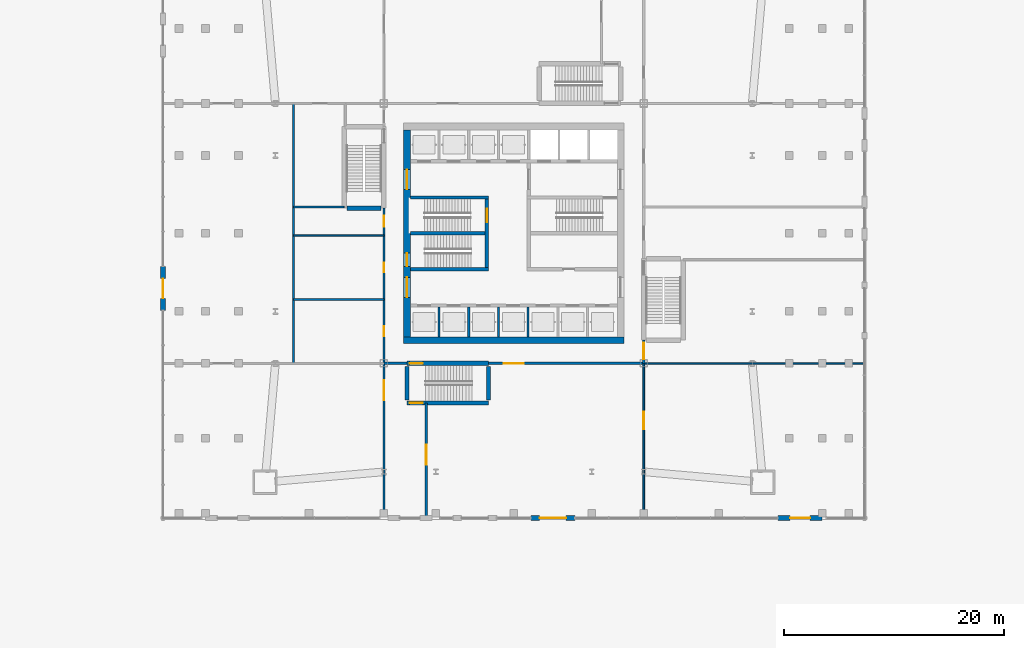
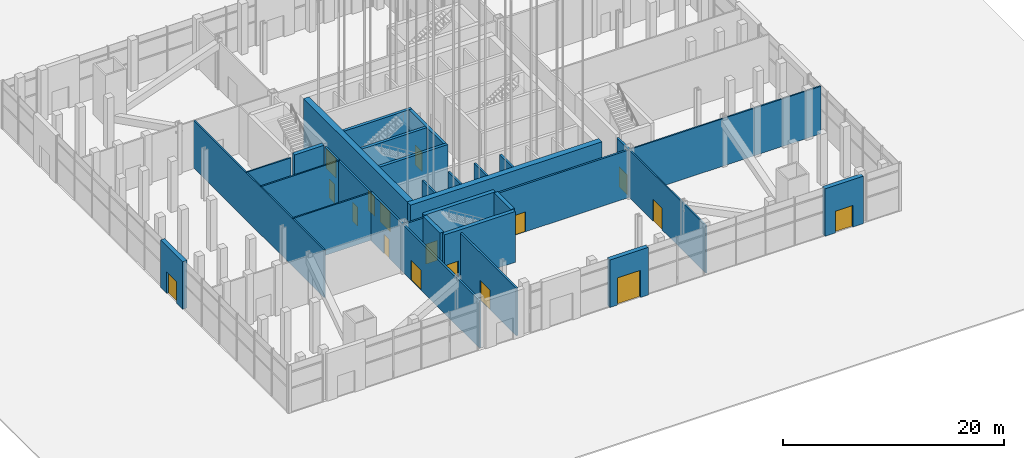
# One storey, part 12 of 27: 29 walls, 17 doors, 17 openings.
"""IFC4 building model written with IfcOpenShell, lengths in metres."""

from ifc_helpers import new_model, si_unit, direction, frame, frame_2d, origin, place, context, subcontext, project, spatial, rectangle, extrude, material, layer, layer_set, type_object, element, fill, save


model = new_model("IFC4")

# Units and contexts
model_context = context("Model", 3, precision=1e-05, world=origin(), true_north=direction((0.0, 1.0)))
body_context = subcontext(model_context, "Body", "Model", "MODEL_VIEW")
ifc_project = project(units=[si_unit("LENGTHUNIT", "METRE"), si_unit("AREAUNIT", "SQUARE_METRE"), si_unit("VOLUMEUNIT", "CUBIC_METRE"), si_unit("PLANEANGLEUNIT", "RADIAN"), si_unit("MASSUNIT", "GRAM", prefix="KILO")], contexts=[model_context])

# Site, building, storey
site_placement = place(None, origin())
site = spatial("IfcSite", under=ifc_project, at=site_placement, CompositionType="ELEMENT")
building_placement = place(site_placement, origin())
building = spatial("IfcBuilding", under=site, at=building_placement, Name="Turquesa Mirador Hotel Tower", CompositionType="ELEMENT")
storey_placement = place(building_placement, origin())
storey = spatial("IfcBuildingStorey", under=building, at=storey_placement, Name="L00", CompositionType="ELEMENT", Elevation=0.0)

# Walls
ifc_material_1 = material(Name="Concrete C50/60", Category="concrete")
ifc_layer_1 = layer(ifc_material_1, 0.300048828125)
ifc_layer_set_1 = layer_set([ifc_layer_1], Name="CORE INNER WALL 300")
wall_type_1 = type_object("IfcWallType", Name="CORE INNER WALL 300", PredefinedType="SHEAR", material=ifc_layer_set_1)
for number, where, z_axis, x_axis, name in (
    (1, (45.60009765625, 48.25, 0.0), (0.0, 0.0, 1.0), (1.0, 0.0, 0.0), "Core wall MN-W"),
    (2, (45.60009765625, 41.75, 0.0), (0.0, 0.0, 1.0), (1.0, 0.0, 0.0), "Core wall MS-W"),
):
    element("IfcWall", number, at=place(storey_placement, frame(where, z_axis=z_axis, x_axis=x_axis)), inside=storey, type_object=wall_type_1, Name=name, PredefinedType="SHEAR", context=body_context, shape_type="SweptSolid", body=[
        extrude(rectangle(XDim=7.099853515625, YDim=0.300048828125, at=frame_2d((3.5498046875, 0.0))), origin(), (0.0, 0.0, 1.0), 5.60009765625),
    ])

# Wall, opening, door
wall_1_placement = place(storey_placement, frame((52.550048828125, 41.89990234375, 0.0), z_axis=(0.0, 0.0, 1.0), x_axis=(0.0, 1.0, 0.0)))
wall_1 = element("IfcWall", 3, at=wall_1_placement, inside=storey, type_object=wall_type_1, Name="Core wall PW", PredefinedType="SHEAR", context=body_context, shape_type="SweptSolid", body=[
    extrude(rectangle(XDim=6.2001953125, YDim=0.300048828125, at=frame_2d((3.10009765625, 0.0))), origin(), (0.0, 0.0, 1.0), 5.60009765625),
])
opening_1_placement = place(wall_1_placement, frame((4.125, 0.0, 0.0)))
opening_1 = element("IfcOpeningElement", 4, at=opening_1_placement, cuts=wall_1, Name="Opening D03", PredefinedType="OPENING", context=body_context, shape_type="SweptSolid", body=[
    extrude(rectangle(XDim=1.199951171875, YDim=2.199951171875, at=frame_2d((0.60009765625, 1.10009765625))), frame((0.0, 0.159912109375, 0.0), z_axis=(0.0, -1.0, 0.0), x_axis=(1.0, 0.0, 0.0)), (0.0, 0.0, 1.0), 0.320068359375),
])
ifc_material_2 = material(Name="Steel fire door", Category="steel")
door_type_1 = type_object("IfcDoorType", Name="DOOR 1200X2200 STAIR", OperationType="SINGLE_SWING_LEFT", PredefinedType="DOOR", material=ifc_material_2)
door_1_placement = place(opening_1_placement, origin())
door_1 = element("IfcDoor", 5, at=door_1_placement, inside=storey, type_object=door_type_1, Name="Stair ST1 door", OperationType="SINGLE_SWING_LEFT", OverallHeight=2.199951171875, OverallWidth=1.199951171875, PredefinedType="DOOR", context=body_context, shape_type="SweptSolid", body=[
    extrude(rectangle(XDim=1.199951171875, YDim=2.199951171875, at=frame_2d((0.60009765625, 1.10009765625))), frame((0.0, 0.02490234375, 0.0), z_axis=(0.0, -1.0, 0.0), x_axis=(1.0, 0.0, 0.0)), (0.0, 0.0, 1.0), 0.050048828125),
])
fill(opening_1, door_1)

# Walls
wall_2_placement = place(storey_placement, frame((45.60009765625, 45.0, 0.0), z_axis=(0.0, 0.0, 1.0), x_axis=(1.0, 0.0, 0.0)))
element("IfcWall", 6, at=wall_2_placement, inside=storey, type_object=wall_type_1, Name="Core wall M0-W", PredefinedType="SHEAR", context=body_context, shape_type="SweptSolid", body=[
    extrude(rectangle(XDim=6.7998046875, YDim=0.300048828125, at=frame_2d((3.39990234375, 0.0))), origin(), (0.0, 0.0, 1.0), 5.60009765625),
])
ifc_material_3 = material(Name="Concrete C50/60", Category="concrete")
ifc_layer_2 = layer(ifc_material_3, 0.60009765625)
ifc_layer_set_2 = layer_set([ifc_layer_2], Name="CORE WALL 600")
wall_type_2 = type_object("IfcWallType", Name="CORE WALL 600", PredefinedType="SHEAR", material=ifc_layer_set_2)
wall_3_placement = place(storey_placement, frame((45.0, 35.300048828125, 0.0), z_axis=(0.0, 0.0, 1.0), x_axis=(1.0, 0.0, 0.0)))
element("IfcWall", 7, at=wall_3_placement, inside=storey, type_object=wall_type_2, Name="Core wall S", PredefinedType="SHEAR", context=body_context, shape_type="SweptSolid", body=[
    extrude(rectangle(XDim=20.0, YDim=0.60009765625, at=frame_2d((10.0, 0.0))), origin(), (0.0, 0.0, 1.0), 5.60009765625),
])

# Wall, openings, doors
wall_4_placement = place(storey_placement, frame((45.300048828125, 35.60009765625, 0.0), z_axis=(0.0, 0.0, 1.0), x_axis=(0.0, 1.0, 0.0)))
wall_4 = element("IfcWall", 8, at=wall_4_placement, inside=storey, type_object=wall_type_2, Name="Core wall W", PredefinedType="SHEAR", context=body_context, shape_type="SweptSolid", body=[
    extrude(rectangle(XDim=18.7998046875, YDim=0.60009765625, at=frame_2d((9.39990234375, 0.0))), origin(), (0.0, 0.0, 1.0), 5.60009765625),
])
opening_2_placement = place(wall_4_placement, frame((13.39990234375, 0.0, 0.0)))
opening_2 = element("IfcOpeningElement", 9, at=opening_2_placement, cuts=wall_4, Name="Opening D04", PredefinedType="OPENING", context=body_context, shape_type="SweptSolid", body=[
    extrude(rectangle(XDim=1.800048828125, YDim=2.199951171875, at=frame_2d((0.89990234375, 1.10009765625))), frame((0.0, 0.31005859375, 0.0), z_axis=(0.0, -1.0, 0.0), x_axis=(1.0, 0.0, 0.0)), (0.0, 0.0, 1.0), 0.6201171875),
])
opening_3_placement = place(wall_4_placement, frame((3.60009765625, 0.0, 0.0)))
opening_3 = element("IfcOpeningElement", 10, at=opening_3_placement, cuts=wall_4, Name="Opening D04", PredefinedType="OPENING", context=body_context, shape_type="SweptSolid", body=[
    extrude(rectangle(XDim=1.800048828125, YDim=2.199951171875, at=frame_2d((0.89990234375, 1.10009765625))), frame((0.0, 0.31005859375, 0.0), z_axis=(0.0, -1.0, 0.0), x_axis=(1.0, 0.0, 0.0)), (0.0, 0.0, 1.0), 0.6201171875),
])
opening_4_placement = place(wall_4_placement, frame((6.39990234375, 0.0, 0.0)))
opening_4 = element("IfcOpeningElement", 11, at=opening_4_placement, cuts=wall_4, Name="Opening D03", PredefinedType="OPENING", context=body_context, shape_type="SweptSolid", body=[
    extrude(rectangle(XDim=1.199951171875, YDim=2.199951171875, at=frame_2d((0.60009765625, 1.10009765625))), frame((0.0, 0.31005859375, 0.0), z_axis=(0.0, -1.0, 0.0), x_axis=(1.0, 0.0, 0.0)), (0.0, 0.0, 1.0), 0.6201171875),
])
door_2_placement = place(opening_4_placement, origin())
door_2 = element("IfcDoor", 12, at=door_2_placement, inside=storey, type_object=door_type_1, Name="Stair ST2 door", OperationType="SINGLE_SWING_LEFT", OverallHeight=2.199951171875, OverallWidth=1.199951171875, PredefinedType="DOOR", context=body_context, shape_type="SweptSolid", body=[
    extrude(rectangle(XDim=1.199951171875, YDim=2.199951171875, at=frame_2d((0.60009765625, 1.10009765625))), frame((0.0, 0.02490234375, 0.0), z_axis=(0.0, -1.0, 0.0), x_axis=(1.0, 0.0, 0.0)), (0.0, 0.0, 1.0), 0.050048828125),
])
fill(opening_4, door_2)
ifc_material_4 = material(Name="Steel fire door pair", Category="steel")
door_type_2 = type_object("IfcDoorType", Name="DOOR 1800X2200 PAIR", OperationType="DOUBLE_DOOR_SINGLE_SWING", PredefinedType="DOOR", material=ifc_material_4)
door_3_placement = place(opening_2_placement, origin())
door_3 = element("IfcDoor", 13, at=door_3_placement, inside=storey, type_object=door_type_2, Name="North lift lobby door", OperationType="DOUBLE_DOOR_SINGLE_SWING", OverallHeight=2.199951171875, OverallWidth=1.800048828125, PredefinedType="DOOR", context=body_context, shape_type="SweptSolid", body=[
    extrude(rectangle(XDim=1.800048828125, YDim=2.199951171875, at=frame_2d((0.89990234375, 1.10009765625))), frame((0.0, 0.02490234375, 0.0), z_axis=(0.0, -1.0, 0.0), x_axis=(1.0, 0.0, 0.0)), (0.0, 0.0, 1.0), 0.050048828125),
])
fill(opening_2, door_3)
door_4_placement = place(opening_3_placement, origin())
door_4 = element("IfcDoor", 14, at=door_4_placement, inside=storey, type_object=door_type_2, Name="South lift lobby door", OperationType="DOUBLE_DOOR_SINGLE_SWING", OverallHeight=2.199951171875, OverallWidth=1.800048828125, PredefinedType="DOOR", context=body_context, shape_type="SweptSolid", body=[
    extrude(rectangle(XDim=1.800048828125, YDim=2.199951171875, at=frame_2d((0.89990234375, 1.10009765625))), frame((0.0, 0.02490234375, 0.0), z_axis=(0.0, -1.0, 0.0), x_axis=(1.0, 0.0, 0.0)), (0.0, 0.0, 1.0), 0.050048828125),
])
fill(opening_3, door_4)

# Wall
ifc_material_5 = material(Name="Fire-rated gypsum board on steel studs", Category="steel")
ifc_layer_3 = layer(ifc_material_5, 0.199951171875)
ifc_layer_set_3 = layer_set([ifc_layer_3], Name="CORRIDOR WALL 200")
wall_type_3 = type_object("IfcWallType", Name="CORRIDOR WALL 200", PredefinedType="PARTITIONING", material=ifc_layer_set_3)
wall_5_placement = place(storey_placement, frame((43.199951171875, 33.199951171875, 0.0), z_axis=(0.0, 0.0, 1.0), x_axis=(1.0, 0.0, 0.0)))
element("IfcWall", 15, at=wall_5_placement, inside=storey, type_object=wall_type_3, Name="Partition L00 002", PredefinedType="PARTITIONING", context=body_context, shape_type="SweptSolid", body=[
    extrude(rectangle(XDim=2.10009765625, YDim=0.199951171875, at=frame_2d((1.050048828125, 0.0))), origin(), (0.0, 0.0, 1.0), 5.25),
])

# Wall, opening, door
wall_6_placement = place(storey_placement, frame((52.699951171875, 33.199951171875, 0.0), z_axis=(0.0, 0.0, 1.0), x_axis=(1.0, 0.0, 0.0)))
wall_6 = element("IfcWall", 16, at=wall_6_placement, inside=storey, type_object=wall_type_3, Name="Partition L00 003", PredefinedType="PARTITIONING", context=body_context, shape_type="SweptSolid", body=[
    extrude(rectangle(XDim=14.10009765625, YDim=0.199951171875, at=frame_2d((7.050048828125, 0.0))), origin(), (0.0, 0.0, 1.0), 5.25),
])
opening_5_placement = place(wall_6_placement, frame((1.39990234375, 0.0, 0.0)))
opening_5 = element("IfcOpeningElement", 17, at=opening_5_placement, cuts=wall_6, Name="Opening D04", PredefinedType="OPENING", context=body_context, shape_type="SweptSolid", body=[
    extrude(rectangle(XDim=1.800048828125, YDim=2.199951171875, at=frame_2d((0.89990234375, 1.10009765625))), frame((0.0, 0.10986328125, 0.0), z_axis=(0.0, -1.0, 0.0), x_axis=(1.0, 0.0, 0.0)), (0.0, 0.0, 1.0), 0.219970703125),
])
door_5_placement = place(opening_5_placement, origin())
door_5 = element("IfcDoor", 18, at=door_5_placement, inside=storey, type_object=door_type_2, Name="Door L00-01", OperationType="DOUBLE_DOOR_SINGLE_SWING", OverallHeight=2.199951171875, OverallWidth=1.800048828125, PredefinedType="DOOR", context=body_context, shape_type="SweptSolid", body=[
    extrude(rectangle(XDim=1.800048828125, YDim=2.199951171875, at=frame_2d((0.89990234375, 1.10009765625))), frame((0.0, 0.02490234375, 0.0), z_axis=(0.0, -1.0, 0.0), x_axis=(1.0, 0.0, 0.0)), (0.0, 0.0, 1.0), 0.050048828125),
])
fill(opening_5, door_5)

# Wall, openings, doors
wall_7_placement = place(storey_placement, frame((43.199951171875, 19.300048828125, 0.0), z_axis=(0.0, 0.0, 1.0), x_axis=(0.0, 1.0, 0.0)))
wall_7 = element("IfcWall", 19, at=wall_7_placement, inside=storey, type_object=wall_type_3, Name="Partition L00 021", PredefinedType="PARTITIONING", context=body_context, shape_type="SweptSolid", body=[
    extrude(rectangle(XDim=28.0, YDim=0.199951171875, at=frame_2d((14.0, 0.0))), origin(), (0.0, 0.0, 1.0), 5.25),
])
opening_6_placement = place(wall_7_placement, frame((10.550048828125, 0.0, 0.0)))
opening_6 = element("IfcOpeningElement", 20, at=opening_6_placement, cuts=wall_7, Name="Opening D04", PredefinedType="OPENING", context=body_context, shape_type="SweptSolid", body=[
    extrude(rectangle(XDim=1.800048828125, YDim=2.199951171875, at=frame_2d((0.89990234375, 1.10009765625))), frame((0.0, 0.10986328125, 0.0), z_axis=(0.0, -1.0, 0.0), x_axis=(1.0, 0.0, 0.0)), (0.0, 0.0, 1.0), 0.219970703125),
])
opening_7_placement = place(wall_7_placement, frame((26.300048828125, 0.0, 0.0)))
opening_7 = element("IfcOpeningElement", 21, at=opening_7_placement, cuts=wall_7, Name="Opening D07", PredefinedType="OPENING", context=body_context, shape_type="SweptSolid", body=[
    extrude(rectangle(XDim=1.0, YDim=2.10009765625, at=frame_2d((0.5, 1.050048828125))), frame((0.0, 0.10986328125, 0.0), z_axis=(0.0, -1.0, 0.0), x_axis=(1.0, 0.0, 0.0)), (0.0, 0.0, 1.0), 0.219970703125),
])
opening_8_placement = place(wall_7_placement, frame((16.35009765625, 0.0, 0.0)))
opening_8 = element("IfcOpeningElement", 22, at=opening_8_placement, cuts=wall_7, Name="Opening D06", PredefinedType="OPENING", context=body_context, shape_type="SweptSolid", body=[
    extrude(rectangle(XDim=0.89990234375, YDim=2.10009765625, at=frame_2d((0.449951171875, 1.050048828125))), frame((0.0, 0.10986328125, 0.0), z_axis=(0.0, -1.0, 0.0), x_axis=(1.0, 0.0, 0.0)), (0.0, 0.0, 1.0), 0.219970703125),
])
opening_9_placement = place(wall_7_placement, frame((22.14990234375, 0.0, 0.0)))
opening_9 = element("IfcOpeningElement", 23, at=opening_9_placement, cuts=wall_7, Name="Opening D06", PredefinedType="OPENING", context=body_context, shape_type="SweptSolid", body=[
    extrude(rectangle(XDim=0.89990234375, YDim=2.10009765625, at=frame_2d((0.449951171875, 1.050048828125))), frame((0.0, 0.10986328125, 0.0), z_axis=(0.0, -1.0, 0.0), x_axis=(1.0, 0.0, 0.0)), (0.0, 0.0, 1.0), 0.219970703125),
])
ifc_material_6 = material(Name="Laminate sliding door", Category="wood")
door_type_3 = type_object("IfcDoorType", Name="DOOR 1000X2100 ACCESSIBLE WC", OperationType="SLIDING_TO_LEFT", PredefinedType="DOOR", material=ifc_material_6)
door_6_placement = place(opening_7_placement, origin())
door_6 = element("IfcDoor", 24, at=door_6_placement, inside=storey, type_object=door_type_3, Name="Door L00-06", OperationType="SLIDING_TO_LEFT", OverallHeight=2.10009765625, OverallWidth=1.0, PredefinedType="DOOR", context=body_context, shape_type="SweptSolid", body=[
    extrude(rectangle(XDim=1.0, YDim=2.10009765625, at=frame_2d((0.5, 1.050048828125))), frame((0.0, 0.02490234375, 0.0), z_axis=(0.0, -1.0, 0.0), x_axis=(1.0, 0.0, 0.0)), (0.0, 0.0, 1.0), 0.050048828125),
])
fill(opening_7, door_6)
door_7_placement = place(opening_6_placement, origin())
door_7 = element("IfcDoor", 25, at=door_7_placement, inside=storey, type_object=door_type_2, Name="Door L00-02", OperationType="DOUBLE_DOOR_SINGLE_SWING", OverallHeight=2.199951171875, OverallWidth=1.800048828125, PredefinedType="DOOR", context=body_context, shape_type="SweptSolid", body=[
    extrude(rectangle(XDim=1.800048828125, YDim=2.199951171875, at=frame_2d((0.89990234375, 1.10009765625))), frame((0.0, 0.02490234375, 0.0), z_axis=(0.0, -1.0, 0.0), x_axis=(1.0, 0.0, 0.0)), (0.0, 0.0, 1.0), 0.050048828125),
])
fill(opening_6, door_7)
ifc_material_7 = material(Name="Laminate door", Category="wood")
door_type_4 = type_object("IfcDoorType", Name="DOOR 900X2100 WC", OperationType="SINGLE_SWING_LEFT", PredefinedType="DOOR", material=ifc_material_7)
door_8_placement = place(opening_8_placement, origin())
door_8 = element("IfcDoor", 26, at=door_8_placement, inside=storey, type_object=door_type_4, Name="Door L00-04", OperationType="SINGLE_SWING_LEFT", OverallHeight=2.10009765625, OverallWidth=0.89990234375, PredefinedType="DOOR", context=body_context, shape_type="SweptSolid", body=[
    extrude(rectangle(XDim=0.89990234375, YDim=2.10009765625, at=frame_2d((0.449951171875, 1.050048828125))), frame((0.0, 0.02490234375, 0.0), z_axis=(0.0, -1.0, 0.0), x_axis=(1.0, 0.0, 0.0)), (0.0, 0.0, 1.0), 0.050048828125),
])
fill(opening_8, door_8)
door_9_placement = place(opening_9_placement, origin())
door_9 = element("IfcDoor", 27, at=door_9_placement, inside=storey, type_object=door_type_4, Name="Door L00-05", OperationType="SINGLE_SWING_LEFT", OverallHeight=2.10009765625, OverallWidth=0.89990234375, PredefinedType="DOOR", context=body_context, shape_type="SweptSolid", body=[
    extrude(rectangle(XDim=0.89990234375, YDim=2.10009765625, at=frame_2d((0.449951171875, 1.050048828125))), frame((0.0, 0.02490234375, 0.0), z_axis=(0.0, -1.0, 0.0), x_axis=(1.0, 0.0, 0.0)), (0.0, 0.0, 1.0), 0.050048828125),
])
fill(opening_9, door_9)

# Wall, opening, door
wall_8_placement = place(storey_placement, frame((47.050048828125, 19.300048828125, 0.0), z_axis=(0.0, 0.0, 1.0), x_axis=(0.0, 1.0, 0.0)))
wall_8 = element("IfcWall", 28, at=wall_8_placement, inside=storey, type_object=wall_type_3, Name="Partition L00 027", PredefinedType="PARTITIONING", context=body_context, shape_type="SweptSolid", body=[
    extrude(rectangle(XDim=10.300048828125, YDim=0.199951171875, at=frame_2d((5.14990234375, 0.0))), origin(), (0.0, 0.0, 1.0), 5.25),
])
opening_10_placement = place(wall_8_placement, frame((4.699951171875, 0.0, 0.0)))
opening_10 = element("IfcOpeningElement", 29, at=opening_10_placement, cuts=wall_8, Name="Opening D04", PredefinedType="OPENING", context=body_context, shape_type="SweptSolid", body=[
    extrude(rectangle(XDim=1.800048828125, YDim=2.199951171875, at=frame_2d((0.89990234375, 1.10009765625))), frame((0.0, 0.10986328125, 0.0), z_axis=(0.0, -1.0, 0.0), x_axis=(1.0, 0.0, 0.0)), (0.0, 0.0, 1.0), 0.219970703125),
])
door_10_placement = place(opening_10_placement, origin())
door_10 = element("IfcDoor", 30, at=door_10_placement, inside=storey, type_object=door_type_2, Name="Door L00-16", OperationType="DOUBLE_DOOR_SINGLE_SWING", OverallHeight=2.199951171875, OverallWidth=1.800048828125, PredefinedType="DOOR", context=body_context, shape_type="SweptSolid", body=[
    extrude(rectangle(XDim=1.800048828125, YDim=2.199951171875, at=frame_2d((0.89990234375, 1.10009765625))), frame((0.0, 0.02490234375, 0.0), z_axis=(0.0, -1.0, 0.0), x_axis=(1.0, 0.0, 0.0)), (0.0, 0.0, 1.0), 0.050048828125),
])
fill(opening_10, door_10)

wall_9_placement = place(storey_placement, frame((66.800048828125, 33.199951171875, 0.0), z_axis=(0.0, 0.0, 1.0), x_axis=(0.0, 1.0, 0.0)))
wall_9 = element("IfcWall", 31, at=wall_9_placement, inside=storey, type_object=wall_type_3, Name="Partition L00 029", PredefinedType="PARTITIONING", context=body_context, shape_type="SweptSolid", body=[
    extrude(rectangle(XDim=2.10009765625, YDim=0.199951171875, at=frame_2d((1.050048828125, 0.0))), origin(), (0.0, 0.0, 1.0), 5.25),
])
opening_11_placement = place(wall_9_placement, frame((0.35009765625, 0.0, 0.0)))
opening_11 = element("IfcOpeningElement", 32, at=opening_11_placement, cuts=wall_9, Name="Opening D14", PredefinedType="OPENING", context=body_context, shape_type="SweptSolid", body=[
    extrude(rectangle(XDim=1.5, YDim=2.199951171875, at=frame_2d((0.75, 1.10009765625))), frame((0.0, 0.10986328125, 0.0), z_axis=(0.0, -1.0, 0.0), x_axis=(1.0, 0.0, 0.0)), (0.0, 0.0, 1.0), 0.219970703125),
])
ifc_material_8 = material(Name="Steel fire door pair", Category="steel")
door_type_5 = type_object("IfcDoorType", Name="DOOR 1500X2200 SERVICE PAIR", OperationType="DOUBLE_DOOR_SINGLE_SWING", PredefinedType="DOOR", material=ifc_material_8)
door_11_placement = place(opening_11_placement, origin())
door_11 = element("IfcDoor", 33, at=door_11_placement, inside=storey, type_object=door_type_5, Name="Door L00-11", OperationType="DOUBLE_DOOR_SINGLE_SWING", OverallHeight=2.199951171875, OverallWidth=1.5, PredefinedType="DOOR", context=body_context, shape_type="SweptSolid", body=[
    extrude(rectangle(XDim=1.5, YDim=2.199951171875, at=frame_2d((0.75, 1.10009765625))), frame((0.0, 0.02490234375, 0.0), z_axis=(0.0, -1.0, 0.0), x_axis=(1.0, 0.0, 0.0)), (0.0, 0.0, 1.0), 0.050048828125),
])
fill(opening_11, door_11)

# Walls
ifc_material_9 = material(Name="Fire-rated gypsum shaft wall on steel studs", Category="steel")
ifc_layer_4 = layer(ifc_material_9, 0.199951171875)
ifc_layer_set_4 = layer_set([ifc_layer_4], Name="LIFT SHAFT DIVIDER 200")
wall_type_4 = type_object("IfcWallType", Name="LIFT SHAFT DIVIDER 200", PredefinedType="PARTITIONING", material=ifc_layer_set_4)
for number, where, z_axis, x_axis, name in (
    (34, (48.199951171875, 35.60009765625, 0.0), (0.0, 0.0, 1.0), (0.0, 1.0, 0.0), "Lift shaft divider"),
    (35, (50.89990234375, 35.60009765625, 0.0), (0.0, 0.0, 1.0), (0.0, 1.0, 0.0), "Lift shaft divider"),
    (36, (53.60009765625, 35.60009765625, 0.0), (0.0, 0.0, 1.0), (0.0, 1.0, 0.0), "Lift shaft divider"),
    (37, (56.300048828125, 35.60009765625, 0.0), (0.0, 0.0, 1.0), (0.0, 1.0, 0.0), "Lift shaft divider"),
):
    element("IfcWall", number, at=place(storey_placement, frame(where, z_axis=z_axis, x_axis=x_axis)), inside=storey, type_object=wall_type_4, Name=name, PredefinedType="PARTITIONING", context=body_context, shape_type="SweptSolid", body=[
        extrude(rectangle(XDim=2.699951171875, YDim=0.199951171875, at=frame_2d((1.35009765625, 0.0))), origin(), (0.0, 0.0, 1.0), 5.25),
    ])
ifc_material_10 = material(Name="Gypsum board on steel studs", Category="steel")
ifc_layer_5 = layer(ifc_material_10, 0.14990234375)
ifc_layer_set_5 = layer_set([ifc_layer_5], Name="PARTITION 150")
wall_type_5 = type_object("IfcWallType", Name="PARTITION 150", PredefinedType="PARTITIONING", material=ifc_layer_set_5)
wall_10_placement = place(storey_placement, frame((35.0, 44.800048828125, 0.0), z_axis=(0.0, 0.0, 1.0), x_axis=(1.0, 0.0, 0.0)))
element("IfcWall", 38, at=wall_10_placement, inside=storey, type_object=wall_type_5, Name="Partition L00 001", PredefinedType="PARTITIONING", context=body_context, shape_type="SweptSolid", body=[
    extrude(rectangle(XDim=8.199951171875, YDim=0.14990234375, at=frame_2d((4.10009765625, 0.0))), origin(), (0.0, 0.0, 1.0), 5.25),
])
wall_11_placement = place(storey_placement, frame((66.800048828125, 33.199951171875, 0.0), z_axis=(0.0, 0.0, 1.0), x_axis=(1.0, 0.0, 0.0)))
element("IfcWall", 39, at=wall_11_placement, inside=storey, type_object=wall_type_5, Name="Partition L00 005", PredefinedType="PARTITIONING", context=body_context, shape_type="SweptSolid", body=[
    extrude(rectangle(XDim=19.945068359375, YDim=0.14990234375, at=frame_2d((9.97265625, 0.0))), origin(), (0.0, 0.0, 1.0), 5.25),
])
wall_12_placement = place(storey_placement, frame((35.0, 39.0, 0.0), z_axis=(0.0, 0.0, 1.0), x_axis=(1.0, 0.0, 0.0)))
element("IfcWall", 40, at=wall_12_placement, inside=storey, type_object=wall_type_5, Name="Partition L00 010", PredefinedType="PARTITIONING", context=body_context, shape_type="SweptSolid", body=[
    extrude(rectangle(XDim=8.199951171875, YDim=0.14990234375, at=frame_2d((4.10009765625, 0.0))), origin(), (0.0, 0.0, 1.0), 5.25),
])
wall_13_placement = place(storey_placement, frame((35.0, 47.39990234375, 0.0), z_axis=(0.0, 0.0, 1.0), x_axis=(1.0, 0.0, 0.0)))
element("IfcWall", 41, at=wall_13_placement, inside=storey, type_object=wall_type_5, Name="Partition L00 019", PredefinedType="PARTITIONING", context=body_context, shape_type="SweptSolid", body=[
    extrude(rectangle(XDim=4.60009765625, YDim=0.14990234375, at=frame_2d((2.300048828125, 0.0))), origin(), (0.0, 0.0, 1.0), 5.25),
])
wall_14_placement = place(storey_placement, frame((35.0, 33.199951171875, 0.0), z_axis=(0.0, 0.0, 1.0), x_axis=(0.0, 1.0, 0.0)))
element("IfcWall", 42, at=wall_14_placement, inside=storey, type_object=wall_type_5, Name="Partition L00 026", PredefinedType="PARTITIONING", context=body_context, shape_type="SweptSolid", body=[
    extrude(rectangle(XDim=23.60009765625, YDim=0.14990234375, at=frame_2d((11.800048828125, 0.0))), origin(), (0.0, 0.0, 1.0), 5.25),
])

# Wall, opening, door
wall_15_placement = place(storey_placement, frame((66.800048828125, 19.300048828125, 0.0), z_axis=(0.0, 0.0, 1.0), x_axis=(0.0, 1.0, 0.0)))
wall_15 = element("IfcWall", 43, at=wall_15_placement, inside=storey, type_object=wall_type_5, Name="Partition L00 031", PredefinedType="PARTITIONING", context=body_context, shape_type="SweptSolid", body=[
    extrude(rectangle(XDim=13.89990234375, YDim=0.14990234375, at=frame_2d((6.949951171875, 0.0))), origin(), (0.0, 0.0, 1.0), 5.25),
])
opening_12_placement = place(wall_15_placement, frame((7.89990234375, 0.0, 0.0)))
opening_12 = element("IfcOpeningElement", 44, at=opening_12_placement, cuts=wall_15, Name="Opening D08", PredefinedType="OPENING", context=body_context, shape_type="SweptSolid", body=[
    extrude(rectangle(XDim=1.60009765625, YDim=2.39990234375, at=frame_2d((0.800048828125, 1.199951171875))), frame((0.0, 0.0849609375, 0.0), z_axis=(0.0, -1.0, 0.0), x_axis=(1.0, 0.0, 0.0)), (0.0, 0.0, 1.0), 0.169921875),
])
ifc_material_11 = material(Name="Aluminium glazed door pair", Category="aluminium")
door_type_6 = type_object("IfcDoorType", Name="DOOR 1600X2400 GLAZED PAIR", OperationType="DOUBLE_DOOR_SINGLE_SWING", PredefinedType="DOOR", material=ifc_material_11)
door_12_placement = place(opening_12_placement, origin())
door_12 = element("IfcDoor", 45, at=door_12_placement, inside=storey, type_object=door_type_6, Name="Door L00-03", OperationType="DOUBLE_DOOR_SINGLE_SWING", OverallHeight=2.39990234375, OverallWidth=1.60009765625, PredefinedType="DOOR", context=body_context, shape_type="SweptSolid", body=[
    extrude(rectangle(XDim=1.60009765625, YDim=2.39990234375, at=frame_2d((0.800048828125, 1.199951171875))), frame((0.0, 0.02490234375, 0.0), z_axis=(0.0, -1.0, 0.0), x_axis=(1.0, 0.0, 0.0)), (0.0, 0.0, 1.0), 0.050048828125),
])
fill(opening_12, door_12)

ifc_material_12 = material(Name="Limestone cladding on concrete block", Category="masonry")
ifc_layer_6 = layer(ifc_material_12, 0.449951171875)
ifc_layer_set_6 = layer_set([ifc_layer_6], Name="PORTAL WALL 450 STONE")
wall_type_6 = type_object("IfcWallType", Name="PORTAL WALL 450 STONE", PredefinedType="SOLIDWALL", material=ifc_layer_set_6)
wall_16_placement = place(storey_placement, frame((56.5400390625, 19.14990234375, 0.0), z_axis=(0.0, 0.0, 1.0), x_axis=(1.0, 0.0, 0.0)))
wall_16 = element("IfcWall", 46, at=wall_16_placement, inside=storey, type_object=wall_type_6, Name="Entrance portal L00", PredefinedType="SOLIDWALL", context=body_context, shape_type="SweptSolid", body=[
    extrude(rectangle(XDim=4.0, YDim=0.449951171875, at=frame_2d((2.0, 0.0))), origin(), (0.0, 0.0, 1.0), 5.25),
])
opening_13_placement = place(wall_16_placement, frame((0.800048828125, 0.0, 0.0)))
opening_13 = element("IfcOpeningElement", 47, at=opening_13_placement, cuts=wall_16, Name="Opening D11", PredefinedType="OPENING", context=body_context, shape_type="SweptSolid", body=[
    extrude(rectangle(XDim=2.39990234375, YDim=3.0, at=frame_2d((1.199951171875, 1.5))), frame((0.0, 0.23486328125, 0.0), z_axis=(0.0, -1.0, 0.0), x_axis=(1.0, 0.0, 0.0)), (0.0, 0.0, 1.0), 0.469970703125),
])
ifc_material_13 = material(Name="Bronze framed glazed door", Category="metal")
door_type_7 = type_object("IfcDoorType", Name="ENTRANCE DOOR 2400X3000 PORTAL", OperationType="DOUBLE_DOOR_SINGLE_SWING", PredefinedType="DOOR", material=ifc_material_13)
door_13_placement = place(opening_13_placement, origin())
door_13 = element("IfcDoor", 48, at=door_13_placement, inside=storey, type_object=door_type_7, Name="External door L00 S", OperationType="DOUBLE_DOOR_SINGLE_SWING", OverallHeight=3.0, OverallWidth=2.39990234375, PredefinedType="DOOR", context=body_context, shape_type="SweptSolid", body=[
    extrude(rectangle(XDim=2.39990234375, YDim=3.0, at=frame_2d((1.199951171875, 1.5))), frame((0.0, 0.02490234375, 0.0), z_axis=(0.0, -1.0, 0.0), x_axis=(1.0, 0.0, 0.0)), (0.0, 0.0, 1.0), 0.050048828125),
])
fill(opening_13, door_13)

wall_17_placement = place(storey_placement, frame((79.0, 19.14990234375, 0.0), z_axis=(0.0, 0.0, 1.0), x_axis=(1.0, 0.0, 0.0)))
wall_17 = element("IfcWall", 49, at=wall_17_placement, inside=storey, type_object=wall_type_6, Name="Entrance portal L00", PredefinedType="SOLIDWALL", context=body_context, shape_type="SweptSolid", body=[
    extrude(rectangle(XDim=4.0, YDim=0.449951171875, at=frame_2d((2.0, 0.0))), origin(), (0.0, 0.0, 1.0), 5.25),
])
opening_14_placement = place(wall_17_placement, frame((1.10009765625, 0.0, 0.0)))
opening_14 = element("IfcOpeningElement", 50, at=opening_14_placement, cuts=wall_17, Name="Opening D13", PredefinedType="OPENING", context=body_context, shape_type="SweptSolid", body=[
    extrude(rectangle(XDim=1.800048828125, YDim=2.39990234375, at=frame_2d((0.89990234375, 1.199951171875))), frame((0.0, 0.23486328125, 0.0), z_axis=(0.0, -1.0, 0.0), x_axis=(1.0, 0.0, 0.0)), (0.0, 0.0, 1.0), 0.469970703125),
])
ifc_material_14 = material(Name="Steel external door pair", Category="steel")
door_type_8 = type_object("IfcDoorType", Name="EXIT DOOR 1800X2400 PAIR", OperationType="DOUBLE_DOOR_SINGLE_SWING", PredefinedType="DOOR", material=ifc_material_14)
door_14_placement = place(opening_14_placement, origin())
door_14 = element("IfcDoor", 51, at=door_14_placement, inside=storey, type_object=door_type_8, Name="External door L00 S", OperationType="DOUBLE_DOOR_SINGLE_SWING", OverallHeight=2.39990234375, OverallWidth=1.800048828125, PredefinedType="DOOR", context=body_context, shape_type="SweptSolid", body=[
    extrude(rectangle(XDim=1.800048828125, YDim=2.39990234375, at=frame_2d((0.89990234375, 1.199951171875))), frame((0.0, 0.02490234375, 0.0), z_axis=(0.0, -1.0, 0.0), x_axis=(1.0, 0.0, 0.0)), (0.0, 0.0, 1.0), 0.050048828125),
])
fill(opening_14, door_14)

wall_18_placement = place(storey_placement, frame((23.14990234375, 42.0, 0.0), z_axis=(0.0, 0.0, 1.0), x_axis=(0.0, -1.0, 0.0)))
wall_18 = element("IfcWall", 52, at=wall_18_placement, inside=storey, type_object=wall_type_6, Name="Entrance portal L00", PredefinedType="SOLIDWALL", context=body_context, shape_type="SweptSolid", body=[
    extrude(rectangle(XDim=4.0, YDim=0.449951171875, at=frame_2d((2.0, 0.0))), origin(), (0.0, 0.0, 1.0), 5.25),
])
opening_15_placement = place(wall_18_placement, frame((1.10009765625, 0.0, 0.0)))
opening_15 = element("IfcOpeningElement", 53, at=opening_15_placement, cuts=wall_18, Name="Opening D13", PredefinedType="OPENING", context=body_context, shape_type="SweptSolid", body=[
    extrude(rectangle(XDim=1.800048828125, YDim=2.39990234375, at=frame_2d((0.89990234375, 1.199951171875))), frame((0.0, 0.23486328125, 0.0), z_axis=(0.0, -1.0, 0.0), x_axis=(1.0, 0.0, 0.0)), (0.0, 0.0, 1.0), 0.469970703125),
])
door_15_placement = place(opening_15_placement, origin())
door_15 = element("IfcDoor", 54, at=door_15_placement, inside=storey, type_object=door_type_8, Name="External door L00 W", OperationType="DOUBLE_DOOR_SINGLE_SWING", OverallHeight=2.39990234375, OverallWidth=1.800048828125, PredefinedType="DOOR", context=body_context, shape_type="SweptSolid", body=[
    extrude(rectangle(XDim=1.800048828125, YDim=2.39990234375, at=frame_2d((0.89990234375, 1.199951171875))), frame((0.0, 0.02490234375, 0.0), z_axis=(0.0, -1.0, 0.0), x_axis=(1.0, 0.0, 0.0)), (0.0, 0.0, 1.0), 0.050048828125),
])
fill(opening_15, door_15)

ifc_material_15 = material(Name="Concrete C50/60", Category="concrete")
ifc_layer_7 = layer(ifc_material_15, 0.39990234375)
ifc_layer_set_7 = layer_set([ifc_layer_7], Name="STAIR WALL 400")
wall_type_7 = type_object("IfcWallType", Name="STAIR WALL 400", PredefinedType="SHEAR", material=ifc_layer_set_7)
wall_19_placement = place(storey_placement, frame((45.300048828125, 33.199951171875, 0.0), z_axis=(0.0, 0.0, 1.0), x_axis=(1.0, 0.0, 0.0)))
wall_19 = element("IfcWall", 55, at=wall_19_placement, inside=storey, type_object=wall_type_7, Name="Stair wall L00 006", PredefinedType="SHEAR", context=body_context, shape_type="SweptSolid", body=[
    extrude(rectangle(XDim=7.39990234375, YDim=0.39990234375, at=frame_2d((3.699951171875, 0.0))), origin(), (0.0, 0.0, 1.0), 5.60009765625),
])
opening_16_placement = place(wall_19_placement, frame((0.25, 0.0, 0.0)))
opening_16 = element("IfcOpeningElement", 56, at=opening_16_placement, cuts=wall_19, Name="Opening D03", PredefinedType="OPENING", context=body_context, shape_type="SweptSolid", body=[
    extrude(rectangle(XDim=1.199951171875, YDim=2.199951171875, at=frame_2d((0.60009765625, 1.10009765625))), frame((0.0, 0.2099609375, 0.0), z_axis=(0.0, -1.0, 0.0), x_axis=(1.0, 0.0, 0.0)), (0.0, 0.0, 1.0), 0.419921875),
])
door_16_placement = place(opening_16_placement, origin())
door_16 = element("IfcDoor", 57, at=door_16_placement, inside=storey, type_object=door_type_1, Name="Door L00-PS2", OperationType="SINGLE_SWING_LEFT", OverallHeight=2.199951171875, OverallWidth=1.199951171875, PredefinedType="DOOR", context=body_context, shape_type="SweptSolid", body=[
    extrude(rectangle(XDim=1.199951171875, YDim=2.199951171875, at=frame_2d((0.60009765625, 1.10009765625))), frame((0.0, 0.02490234375, 0.0), z_axis=(0.0, -1.0, 0.0), x_axis=(1.0, 0.0, 0.0)), (0.0, 0.0, 1.0), 0.050048828125),
])
fill(opening_16, door_16)

wall_20_placement = place(storey_placement, frame((45.300048828125, 29.60009765625, 0.0), z_axis=(0.0, 0.0, 1.0), x_axis=(1.0, 0.0, 0.0)))
wall_20 = element("IfcWall", 58, at=wall_20_placement, inside=storey, type_object=wall_type_7, Name="Stair wall L00 007", PredefinedType="SHEAR", context=body_context, shape_type="SweptSolid", body=[
    extrude(rectangle(XDim=7.39990234375, YDim=0.39990234375, at=frame_2d((3.699951171875, 0.0))), origin(), (0.0, 0.0, 1.0), 5.60009765625),
])
opening_17_placement = place(wall_20_placement, frame((0.25, 0.0, 0.0)))
opening_17 = element("IfcOpeningElement", 59, at=opening_17_placement, cuts=wall_20, Name="Opening D03", PredefinedType="OPENING", context=body_context, shape_type="SweptSolid", body=[
    extrude(rectangle(XDim=1.199951171875, YDim=2.199951171875, at=frame_2d((0.60009765625, 1.10009765625))), frame((0.0, 0.2099609375, 0.0), z_axis=(0.0, -1.0, 0.0), x_axis=(1.0, 0.0, 0.0)), (0.0, 0.0, 1.0), 0.419921875),
])
door_17_placement = place(opening_17_placement, origin())
door_17 = element("IfcDoor", 60, at=door_17_placement, inside=storey, type_object=door_type_1, Name="Door L00-PS2-1", OperationType="SINGLE_SWING_LEFT", OverallHeight=2.199951171875, OverallWidth=1.199951171875, PredefinedType="DOOR", context=body_context, shape_type="SweptSolid", body=[
    extrude(rectangle(XDim=1.199951171875, YDim=2.199951171875, at=frame_2d((0.60009765625, 1.10009765625))), frame((0.0, 0.02490234375, 0.0), z_axis=(0.0, -1.0, 0.0), x_axis=(1.0, 0.0, 0.0)), (0.0, 0.0, 1.0), 0.050048828125),
])
fill(opening_17, door_17)

# Walls
for number, where, z_axis, x_axis, name in (
    (61, (39.8701171875, 47.300048828125, 0.0), (0.0, 0.0, 1.0), (1.0, 0.0, 0.0), "Stair wall L00 018"),
    (62, (52.699951171875, 29.8701171875, 0.0), (0.0, 0.0, 1.0), (0.0, 1.0, 0.0), "Stair wall L00 025"),
    (63, (45.300048828125, 29.8701171875, 0.0), (0.0, 0.0, 1.0), (0.0, 1.0, 0.0), "Stair wall L00 028"),
):
    element("IfcWall", number, at=place(storey_placement, frame(where, z_axis=z_axis, x_axis=x_axis)), inside=storey, type_object=wall_type_7, Name=name, PredefinedType="SHEAR", context=body_context, shape_type="SweptSolid", body=[
        extrude(rectangle(XDim=3.059814453125, YDim=0.39990234375, at=frame_2d((1.52978515625, 0.0))), origin(), (0.0, 0.0, 1.0), 5.60009765625),
    ])

save(model, "model.ifc")
